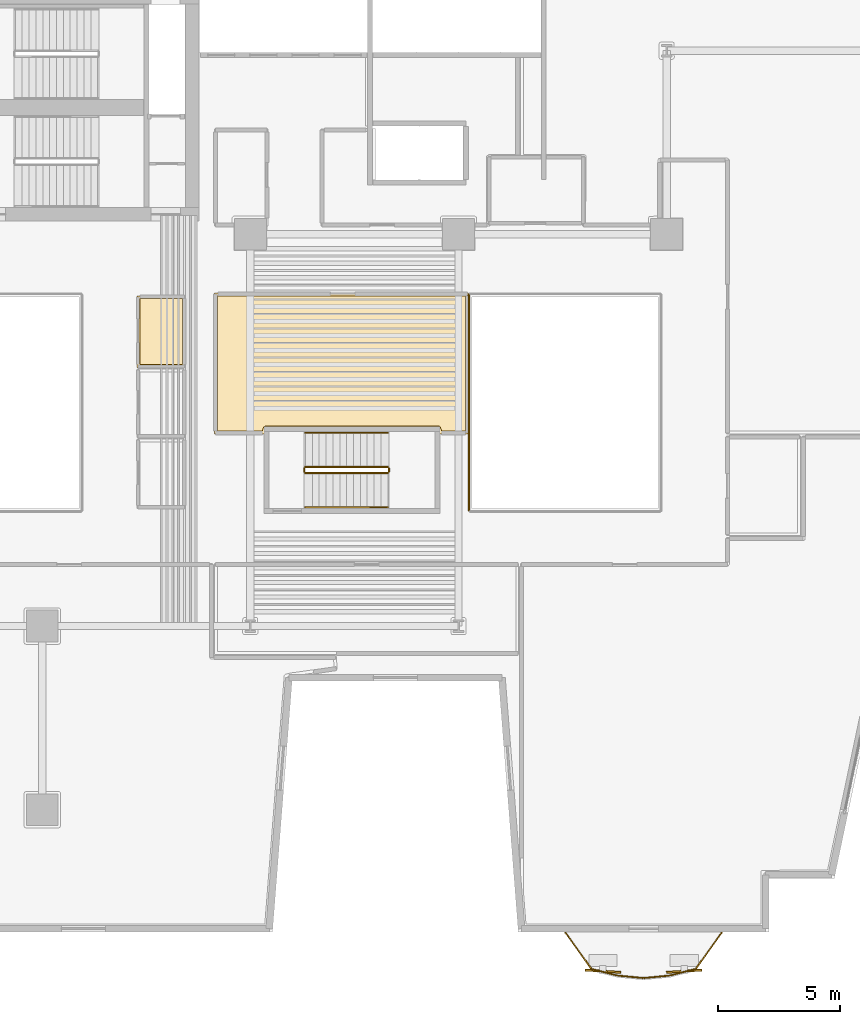
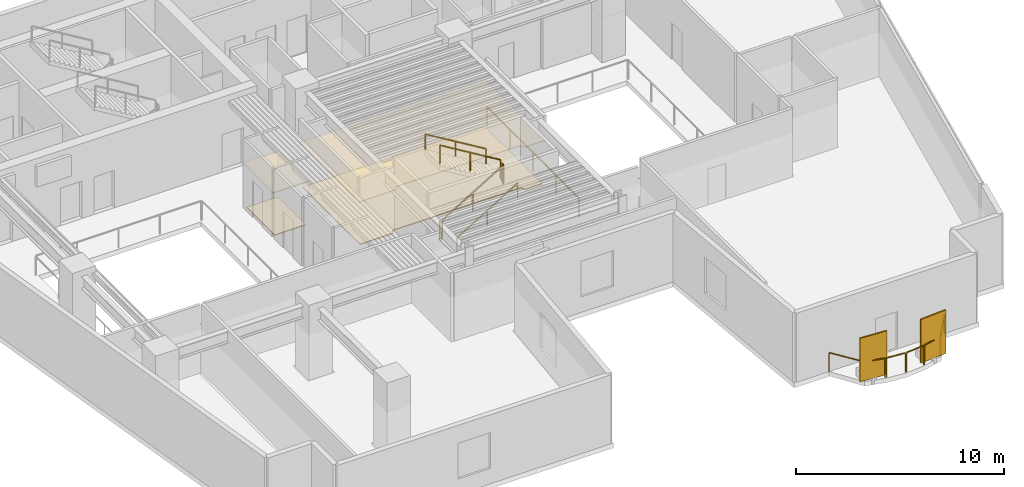
# One storey, part 8 of 11: 13 railings, 4 coverings, 2 shading devices.
"""IFC4 building model written with IfcOpenShell, lengths in metres."""

from ifc_helpers import new_model, si_unit, direction, frame, origin, origin_2d, place, context, subcontext, project, spatial, polyline, rectangle, outline, extrude, material, layer, layer_set, type_object, element, save


model = new_model("IFC4")

# Units and contexts
model_context = context("Model", 3, precision=1e-05, world=origin(), true_north=direction((0.0, 1.0)))
body_context = subcontext(model_context, "Body", "Model", "MODEL_VIEW")
ifc_project = project(units=[si_unit("LENGTHUNIT", "METRE"), si_unit("AREAUNIT", "SQUARE_METRE"), si_unit("VOLUMEUNIT", "CUBIC_METRE"), si_unit("PLANEANGLEUNIT", "RADIAN"), si_unit("MASSUNIT", "GRAM", prefix="KILO")], contexts=[model_context])

# Site, building, storey
site_placement = place(None, origin())
site = spatial("IfcSite", under=ifc_project, at=site_placement, CompositionType="ELEMENT")
building_placement = place(site_placement, origin())
building = spatial("IfcBuilding", under=site, at=building_placement, Name="Caeloran Harvest Quay", CompositionType="ELEMENT")
storey_placement = place(building_placement, frame((0.0, 0.0, 101.800048828125)))
storey = spatial("IfcBuildingStorey", under=building, at=storey_placement, Name="L23", CompositionType="ELEMENT", Elevation=101.800048828125)

# Coverings
ifc_material_1 = material(Name="Perforated Mineral-Fibre Acoustic Ceiling Tile", Category="ceiling")
ifc_layer_1 = layer(ifc_material_1, 0.0400390625, Name="Perforated Mineral-Fibre Acoustic Ceiling Tile")
ifc_layer_set_1 = layer_set([ifc_layer_1], Name="Perforated Mineral-Fibre Acoustic Ceiling Tile")
covering_type_1 = type_object("IfcCoveringType", Name="COV-CEILING-ACOUSTIC", PredefinedType="CEILING", material=ifc_layer_set_1)
covering_1_placement = place(storey_placement, frame((0.0, 0.0, 2.599853515625)))
element("IfcCovering", 1, at=covering_1_placement, inside=storey, type_object=covering_type_1, Name="L23 Male Washroom WC Acoustic Ceiling", PredefinedType="CEILING", context=body_context, shape_type="SweptSolid", body=[
    extrude(outline(polyline([(22.840087890625, 25.56005859375), (20.8701171875, 25.56005859375), (20.8701171875, 28.489990234375), (22.840087890625, 28.489990234375), (22.840087890625, 25.56005859375)])), origin(), (0.0, 0.0, 1.0), 0.0400390625),
])
covering_2_placement = place(storey_placement, frame((0.0, 0.0, 2.599853515625)))
element("IfcCovering", 2, at=covering_2_placement, inside=storey, type_object=covering_type_1, Name="Botanical Sketch Studio Acoustic Ceiling", PredefinedType="CEILING", context=body_context, shape_type="SweptSolid", body=[
    extrude(outline(polyline([(26.139892578125, 23.06005859375), (26.139892578125, 23.02099609375), (26.054443359375, 22.840087890625), (24.0400390625, 22.840087890625), (24.0400390625, 28.610107421875), (34.409912109375, 28.610107421875), (34.409912109375, 22.840087890625), (33.24560546875, 22.840087890625), (33.159912109375, 23.02099609375), (33.159912109375, 23.06005859375), (26.139892578125, 23.06005859375)])), origin(), (0.0, 0.0, 1.0), 0.0400390625),
])
ifc_material_2 = material(Name="Calcium-Sulphate Raised Access Floor and Terrazzo Finish", Category="flooring")
ifc_layer_2 = layer(ifc_material_2, 0.050048828125, Name="Calcium-Sulphate Raised Access Floor and Terrazzo Finish")
ifc_layer_set_2 = layer_set([ifc_layer_2], Name="Calcium-Sulphate Raised Access Floor and Terrazzo Finish")
covering_type_2 = type_object("IfcCoveringType", Name="COV-FLOOR-RAISED", PredefinedType="FLOORING", material=ifc_layer_set_2)
covering_3_placement = place(storey_placement, origin())
element("IfcCovering", 3, at=covering_3_placement, inside=storey, type_object=covering_type_2, Name="L23 Male Washroom WC Raised Finish Flooring", PredefinedType="FLOORING", context=body_context, shape_type="SweptSolid", body=[
    extrude(outline(polyline([(22.719970703125, 25.679931640625), (20.989990234375, 25.679931640625), (20.989990234375, 28.3701171875), (22.719970703125, 28.3701171875), (22.719970703125, 25.679931640625)])), origin(), (0.0, 0.0, 1.0), 0.050048828125),
])
covering_4_placement = place(storey_placement, origin())
element("IfcCovering", 4, at=covering_4_placement, inside=storey, type_object=covering_type_2, Name="Botanical Sketch Studio Raised Finish Flooring", PredefinedType="FLOORING", context=body_context, shape_type="SweptSolid", body=[
    extrude(outline(polyline([(33.321533203125, 22.9599609375), (33.244873046875, 23.150390625), (33.169921875, 23.179931640625), (26.1298828125, 23.179931640625), (26.040771484375, 23.13427734375), (25.978515625, 22.9599609375), (24.159912109375, 22.9599609375), (24.159912109375, 28.489990234375), (34.2900390625, 28.489990234375), (34.2900390625, 22.9599609375), (33.321533203125, 22.9599609375)])), origin(), (0.0, 0.0, 1.0), 0.050048828125),
])

# Railings
ifc_material_3 = material(Name="Powder-Coated Steel Post and Laminated Glass Guardrail", Category="steel")
ifc_layer_3 = layer(ifc_material_3, 0.06005859375, Name="Powder-Coated Steel Post and Laminated Glass Guardrail")
ifc_layer_set_3 = layer_set([ifc_layer_3], Name="Powder-Coated Steel Post and Laminated Glass Guardrail")
railing_type_1 = type_object("IfcRailingType", Name="GUARD-ATRIUM-1150", PredefinedType="GUARDRAIL", material=ifc_layer_set_3)
railing_1_placement = place(storey_placement, frame((34.429931640625, 28.5380859375, 0.0)))
element("IfcRailing", 5, at=railing_1_placement, inside=storey, type_object=railing_type_1, Name="L23 East Botanical Lightwell Guardrail Seg 4", PredefinedType="GUARDRAIL", context=body_context, shape_type="SweptSolid", body=[
    extrude(rectangle(XDim=0.048095703125, YDim=0.048095703125, at=origin_2d()), frame((0.0, 0.0, 1.1259765625), z_axis=(0.0, -1.0, 0.0), x_axis=(1.0, 0.0, 0.0)), (0.0, 0.0, 1.0), 8.826171875),
    extrude(rectangle(XDim=0.0419921875, YDim=0.0419921875, at=origin_2d()), origin(), (0.0, 0.0, 1.0), 1.101806640625),
    extrude(rectangle(XDim=0.0419921875, YDim=0.0419921875, at=origin_2d()), frame((0.0, -2.20654296875, 0.0)), (0.0, 0.0, 1.0), 1.101806640625),
    extrude(rectangle(XDim=0.0419921875, YDim=0.0419921875, at=origin_2d()), frame((0.0, -4.4130859375, 0.0)), (0.0, 0.0, 1.0), 1.101806640625),
    extrude(rectangle(XDim=0.0419921875, YDim=0.0419921875, at=origin_2d()), frame((0.0, -6.61962890625, 0.0)), (0.0, 0.0, 1.0), 1.101806640625),
    extrude(rectangle(XDim=0.0419921875, YDim=0.0419921875, at=origin_2d()), frame((0.0, -8.826171875, 0.0)), (0.0, 0.0, 1.0), 1.101806640625),
])
ifc_material_4 = material(Name="Laminated Safety Glass and Stainless Steel 316", Category="steel")
ifc_layer_4 = layer(ifc_material_4, 0.06005859375, Name="Laminated Safety Glass and Stainless Steel 316")
ifc_layer_set_4 = layer_set([ifc_layer_4], Name="Laminated Safety Glass and Stainless Steel 316")
railing_type_2 = type_object("IfcRailingType", Name="GUARD-BALUSTRADE-1150", PredefinedType="BALUSTRADE", material=ifc_layer_set_4)
railing_2_placement = place(storey_placement, frame((44.7509765625, 2.47998046875, 0.0)))
element("IfcRailing", 6, at=railing_2_placement, inside=storey, type_object=railing_type_2, Name="L23 Planted Balcony Perimeter Balustrade Guard Seg 1", PredefinedType="BALUSTRADE", context=body_context, shape_type="SweptSolid", body=[
    extrude(rectangle(XDim=0.048095703125, YDim=0.048095703125, at=origin_2d()), frame((0.0, 0.0, 1.1259765625), z_axis=(-0.583027076161, -0.812452723833, 0.0), x_axis=(0.812452723833, -0.583027076161, 0.0)), (0.0, 0.0, 1.0), 1.79296875),
    extrude(rectangle(XDim=0.0419921875, YDim=0.0419921875, at=origin_2d()), origin(), (0.0, 0.0, 1.0), 1.101806640625),
    extrude(rectangle(XDim=0.0419921875, YDim=0.0419921875, at=origin_2d()), frame((-1.04541015625, -1.456787109375, 0.0)), (0.0, 0.0, 1.0), 1.101806640625),
])
railing_3_placement = place(storey_placement, frame((43.65576171875, 0.9892578125, 0.0)))
element("IfcRailing", 7, at=railing_3_placement, inside=storey, type_object=railing_type_2, Name="L23 Planted Balcony Perimeter Balustrade Guard Seg 2", PredefinedType="BALUSTRADE", context=body_context, shape_type="SweptSolid", body=[
    extrude(rectangle(XDim=0.048095703125, YDim=0.048095703125, at=origin_2d()), frame((0.0, 0.0, 1.1259765625), z_axis=(-0.968624541573, -0.248528665272, 0.0), x_axis=(0.248528665272, -0.968624541573, 0.0)), (0.0, 0.0, 1.0), 1.034423828125),
    extrude(rectangle(XDim=0.0419921875, YDim=0.0419921875, at=origin_2d()), origin(), (0.0, 0.0, 1.0), 1.101806640625),
    extrude(rectangle(XDim=0.0419921875, YDim=0.0419921875, at=origin_2d()), frame((-1.001953125, -0.257080078125, 0.0)), (0.0, 0.0, 1.0), 1.101806640625),
])
railing_4_placement = place(storey_placement, frame((42.5908203125, 0.72119140625, 0.0)))
element("IfcRailing", 8, at=railing_4_placement, inside=storey, type_object=railing_type_2, Name="L23 Planted Balcony Perimeter Balustrade Guard Seg 3", PredefinedType="BALUSTRADE", context=body_context, shape_type="SweptSolid", body=[
    extrude(rectangle(XDim=0.048095703125, YDim=0.048095703125, at=origin_2d()), frame((0.0, 0.0, 1.1259765625), z_axis=(-0.995615861982, -0.093536385276, 0.0), x_axis=(0.093536385276, -0.995615861982, 0.0)), (0.0, 0.0, 1.0), 1.0048828125),
    extrude(rectangle(XDim=0.0419921875, YDim=0.0419921875, at=origin_2d()), origin(), (0.0, 0.0, 1.0), 1.101806640625),
    extrude(rectangle(XDim=0.0419921875, YDim=0.0419921875, at=origin_2d()), frame((-1.00048828125, -0.093994140625, 0.0)), (0.0, 0.0, 1.0), 1.101806640625),
])
railing_5_placement = place(storey_placement, frame((41.526611328125, 0.627197265625, 0.0)))
element("IfcRailing", 9, at=railing_5_placement, inside=storey, type_object=railing_type_2, Name="L23 Planted Balcony Perimeter Balustrade Guard Seg 4", PredefinedType="BALUSTRADE", context=body_context, shape_type="SweptSolid", body=[
    extrude(rectangle(XDim=0.048095703125, YDim=0.048095703125, at=origin_2d()), frame((0.0, 0.0, 1.1259765625), z_axis=(-0.995615861982, 0.093536385276, 0.0), x_axis=(-0.093536385276, -0.995615861982, 0.0)), (0.0, 0.0, 1.0), 1.0048828125),
    extrude(rectangle(XDim=0.0419921875, YDim=0.0419921875, at=origin_2d()), origin(), (0.0, 0.0, 1.0), 1.101806640625),
    extrude(rectangle(XDim=0.0419921875, YDim=0.0419921875, at=origin_2d()), frame((-1.00048828125, 0.093994140625, 0.0)), (0.0, 0.0, 1.0), 1.101806640625),
])
railing_6_placement = place(storey_placement, frame((40.46337890625, 0.732177734375, 0.0)))
element("IfcRailing", 10, at=railing_6_placement, inside=storey, type_object=railing_type_2, Name="L23 Planted Balcony Perimeter Balustrade Guard Seg 5", PredefinedType="BALUSTRADE", context=body_context, shape_type="SweptSolid", body=[
    extrude(rectangle(XDim=0.048095703125, YDim=0.048095703125, at=origin_2d()), frame((0.0, 0.0, 1.1259765625), z_axis=(-0.968639114681, 0.248471860599, 0.0), x_axis=(-0.248471860599, -0.968639114681, 0.0)), (0.0, 0.0, 1.0), 1.03466796875),
    extrude(rectangle(XDim=0.0419921875, YDim=0.0419921875, at=origin_2d()), origin(), (0.0, 0.0, 1.0), 1.101806640625),
    extrude(rectangle(XDim=0.0419921875, YDim=0.0419921875, at=origin_2d()), frame((-1.002197265625, 0.257080078125, 0.0)), (0.0, 0.0, 1.0), 1.101806640625),
])
railing_7_placement = place(storey_placement, frame((39.41162109375, 1.023193359375, 0.0)))
element("IfcRailing", 11, at=railing_7_placement, inside=storey, type_object=railing_type_2, Name="L23 Planted Balcony Perimeter Balustrade Guard Seg 6", PredefinedType="BALUSTRADE", context=body_context, shape_type="SweptSolid", body=[
    extrude(rectangle(XDim=0.048095703125, YDim=0.048095703125, at=origin_2d()), frame((0.0, 0.0, 1.1259765625), z_axis=(-0.583116940326, 0.812388228561, 0.0), x_axis=(-0.812388228561, -0.583116940326, 0.0)), (0.0, 0.0, 1.0), 1.793212890625),
    extrude(rectangle(XDim=0.0419921875, YDim=0.0419921875, at=origin_2d()), origin(), (0.0, 0.0, 1.0), 1.101806640625),
    extrude(rectangle(XDim=0.0419921875, YDim=0.0419921875, at=origin_2d()), frame((-1.045654296875, 1.456787109375, 0.0)), (0.0, 0.0, 1.0), 1.101806640625),
])

# Shading devices
ifc_material_5 = material(Name="3003-H14 Perforated Powder-Coated Aluminium", Category="aluminium")
shading_device_type = type_object("IfcShadingDeviceType", Name="SHADE-SCREEN-FOLDED", PredefinedType="USERDEFINED", material=ifc_material_5)
for number, where, z_axis, x_axis, name in (
    (12, (43.218505859375, 0.903564453125, 0.07470703125), (0.0, 0.0, 1.0), (0.997801468292, 0.0662739004, 0.0), "L23 Folded Facade Breathing Screen 1"),
    (13, (39.8984375, 0.903564453125, 0.07470703125), (0.0, 0.0, 1.0), (0.997801468292, -0.0662739004, 0.0), "L23 Folded Facade Breathing Screen 2"),
):
    element("IfcShadingDevice", number, at=place(storey_placement, frame(where, z_axis=z_axis, x_axis=x_axis)), inside=storey, type_object=shading_device_type, Name=name, ObjectType="SCREEN", PredefinedType="USERDEFINED", context=body_context, shape_type="SweptSolid", body=[
        extrude(rectangle(XDim=1.449951171875, YDim=0.080078125, at=origin_2d()), origin(), (0.0, 0.0, 1.0), 2.550048828125),
    ])

# Railings
ifc_material_6 = material(Name="Painted Steel Baluster and Top-Rail Stair Guard", Category="steel")
ifc_layer_5 = layer(ifc_material_6, 0.050048828125, Name="Painted Steel Baluster and Top-Rail Stair Guard")
ifc_layer_set_5 = layer_set([ifc_layer_5], Name="Painted Steel Baluster and Top-Rail Stair Guard")
railing_type_3 = type_object("IfcRailingType", Name="STAIR-GUARD-1100", PredefinedType="GUARDRAIL", material=ifc_layer_set_5)
railing_8_placement = place(storey_placement, frame((27.75, 21.25, 0.169189453125)))
element("IfcRailing", 14, at=railing_8_placement, inside=storey, type_object=railing_type_3, Name="L23 ST-W1 stair guard 1", PredefinedType="GUARDRAIL", context=body_context, shape_type="SweptSolid", body=[
    extrude(rectangle(XDim=0.048095703125, YDim=0.048095703125, at=origin_2d()), frame((0.0, 0.0, 1.076171875), z_axis=(0.855836976705, 0.0, 0.517245656632), x_axis=(0.0, 1.0, 0.0)), (0.0, 0.0, 1.0), 3.926025390625),
    extrude(rectangle(XDim=0.0419921875, YDim=0.0419921875, at=origin_2d()), origin(), (0.0, 0.0, 1.0), 1.052001953125),
    extrude(rectangle(XDim=0.0419921875, YDim=0.0419921875, at=origin_2d()), frame((1.68017578125, 0.0, 1.015380859375)), (0.0, 0.0, 1.0), 1.052001953125),
    extrude(rectangle(XDim=0.0419921875, YDim=0.0419921875, at=origin_2d()), frame((3.360107421875, 0.0, 2.03076171875)), (0.0, 0.0, 1.0), 1.052001953125),
])
railing_9_placement = place(storey_placement, frame((31.159912109375, 21.300048828125, 2.199951171875)))
element("IfcRailing", 15, at=railing_9_placement, inside=storey, type_object=railing_type_3, Name="L23 ST-W1 stair guard 2", PredefinedType="GUARDRAIL", context=body_context, shape_type="SweptSolid", body=[
    extrude(rectangle(XDim=0.048095703125, YDim=0.048095703125, at=origin_2d()), frame((0.0, 0.0, 1.076171875), z_axis=(0.0, 1.0, 0.0), x_axis=(-1.0, 0.0, 0.0)), (0.0, 0.0, 1.0), 0.14990234375),
    extrude(rectangle(XDim=0.0419921875, YDim=0.0419921875, at=origin_2d()), origin(), (0.0, 0.0, 1.0), 1.052001953125),
    extrude(rectangle(XDim=0.0419921875, YDim=0.0419921875, at=origin_2d()), frame((0.0, 0.14990234375, 0.0)), (0.0, 0.0, 1.0), 1.052001953125),
])
railing_10_placement = place(storey_placement, frame((31.110107421875, 21.5, 2.369140625)))
element("IfcRailing", 16, at=railing_10_placement, inside=storey, type_object=railing_type_3, Name="L23 ST-W1 stair guard 3", PredefinedType="GUARDRAIL", context=body_context, shape_type="SweptSolid", body=[
    extrude(rectangle(XDim=0.048095703125, YDim=0.048095703125, at=origin_2d()), frame((0.0, 0.0, 1.076171875), z_axis=(-0.855836976705, 0.0, 0.517245656632), x_axis=(0.0, -1.0, 0.0)), (0.0, 0.0, 1.0), 3.926025390625),
    extrude(rectangle(XDim=0.0419921875, YDim=0.0419921875, at=origin_2d()), origin(), (0.0, 0.0, 1.0), 1.052001953125),
    extrude(rectangle(XDim=0.0419921875, YDim=0.0419921875, at=origin_2d()), frame((-1.68017578125, 0.0, 1.015380859375)), (0.0, 0.0, 1.0), 1.052001953125),
    extrude(rectangle(XDim=0.0419921875, YDim=0.0419921875, at=origin_2d()), frame((-3.360107421875, 0.0, 2.03076171875)), (0.0, 0.0, 1.0), 1.052001953125),
])
railing_11_placement = place(storey_placement, frame((27.699951171875, 21.300048828125, 0.0)))
element("IfcRailing", 17, at=railing_11_placement, inside=storey, type_object=railing_type_3, Name="L23 ST-W1 stair guard 4", PredefinedType="GUARDRAIL", context=body_context, shape_type="SweptSolid", body=[
    extrude(rectangle(XDim=0.048095703125, YDim=0.048095703125, at=origin_2d()), frame((0.0, 0.0, 1.076171875), z_axis=(0.0, 1.0, 0.0), x_axis=(-1.0, 0.0, 0.0)), (0.0, 0.0, 1.0), 0.14990234375),
    extrude(rectangle(XDim=0.0419921875, YDim=0.0419921875, at=origin_2d()), origin(), (0.0, 0.0, 1.0), 1.052001953125),
    extrude(rectangle(XDim=0.0419921875, YDim=0.0419921875, at=origin_2d()), frame((0.0, 0.14990234375, 0.0)), (0.0, 0.0, 1.0), 1.052001953125),
])
ifc_material_7 = material(Name="Brushed Stainless Steel Grade 304", Category="steel")
ifc_layer_6 = layer(ifc_material_7, 0.050048828125, Name="Brushed Stainless Steel Grade 304")
ifc_layer_set_6 = layer_set([ifc_layer_6], Name="Brushed Stainless Steel Grade 304")
railing_type_4 = type_object("IfcRailingType", Name="STAIR-HANDRAIL-900", PredefinedType="HANDRAIL", material=ifc_layer_set_6)
railing_12_placement = place(storey_placement, frame((27.75, 19.85009765625, 0.169189453125)))
element("IfcRailing", 18, at=railing_12_placement, inside=storey, type_object=railing_type_4, Name="L23 ST-W1 stair handrail 1", PredefinedType="HANDRAIL", context=body_context, shape_type="SweptSolid", body=[
    extrude(rectangle(XDim=0.048095703125, YDim=0.048095703125, at=origin_2d()), frame((0.0, 0.0, 0.8759765625), z_axis=(0.855836976705, 0.0, 0.517245656632), x_axis=(0.0, 1.0, 0.0)), (0.0, 0.0, 1.0), 3.926025390625),
    extrude(rectangle(XDim=0.0419921875, YDim=0.0419921875, at=origin_2d()), origin(), (0.0, 0.0, 1.0), 0.851806640625),
    extrude(rectangle(XDim=0.0419921875, YDim=0.0419921875, at=origin_2d()), frame((1.68017578125, 0.0, 1.015380859375)), (0.0, 0.0, 1.0), 0.851806640625),
    extrude(rectangle(XDim=0.0419921875, YDim=0.0419921875, at=origin_2d()), frame((3.360107421875, 0.0, 2.03076171875)), (0.0, 0.0, 1.0), 0.851806640625),
])
railing_13_placement = place(storey_placement, frame((31.110107421875, 22.89990234375, 2.369140625)))
element("IfcRailing", 19, at=railing_13_placement, inside=storey, type_object=railing_type_4, Name="L23 ST-W1 stair handrail 2", PredefinedType="HANDRAIL", context=body_context, shape_type="SweptSolid", body=[
    extrude(rectangle(XDim=0.048095703125, YDim=0.048095703125, at=origin_2d()), frame((0.0, 0.0, 0.8759765625), z_axis=(-0.855836976705, 0.0, 0.517245656632), x_axis=(0.0, -1.0, 0.0)), (0.0, 0.0, 1.0), 3.926025390625),
    extrude(rectangle(XDim=0.0419921875, YDim=0.0419921875, at=origin_2d()), origin(), (0.0, 0.0, 1.0), 0.851806640625),
    extrude(rectangle(XDim=0.0419921875, YDim=0.0419921875, at=origin_2d()), frame((-1.68017578125, 0.0, 1.015380859375)), (0.0, 0.0, 1.0), 0.851806640625),
    extrude(rectangle(XDim=0.0419921875, YDim=0.0419921875, at=origin_2d()), frame((-3.360107421875, 0.0, 2.03076171875)), (0.0, 0.0, 1.0), 0.851806640625),
])

save(model, "model.ifc")
